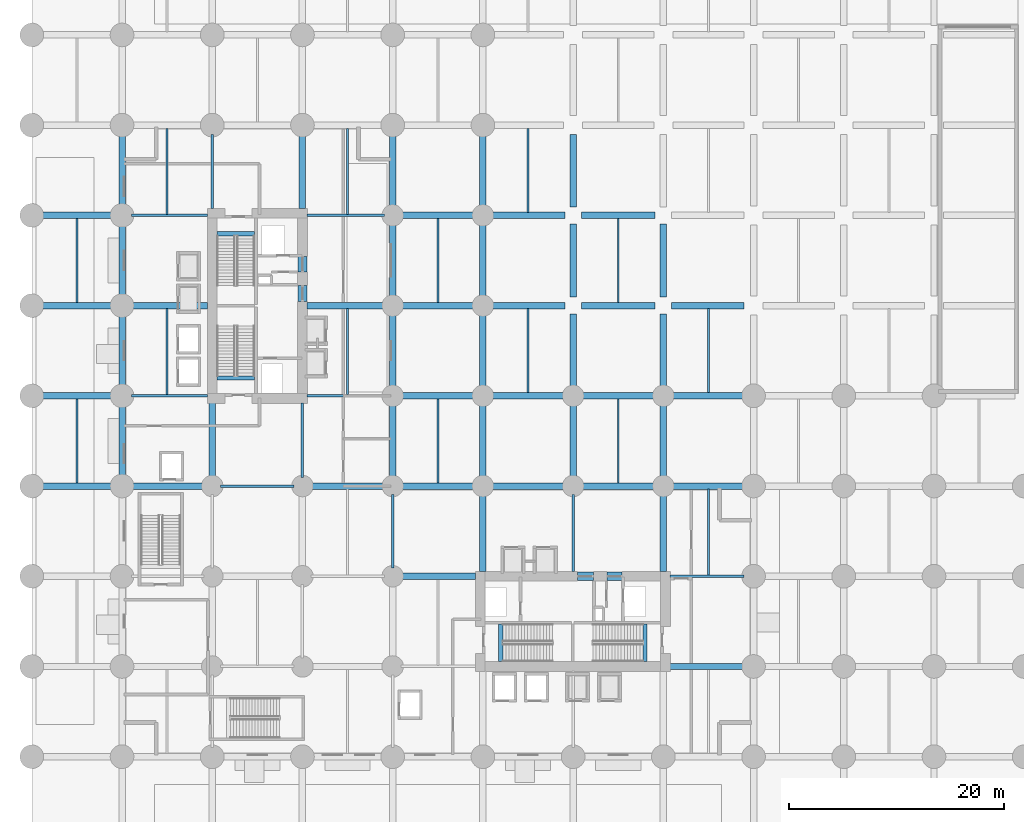
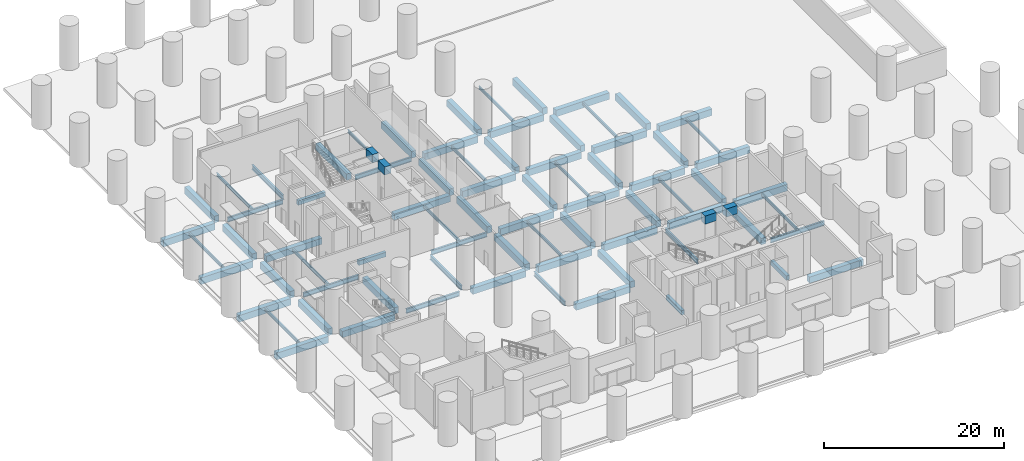
# One storey, part 2 of 13: 80 beams.
"""IFC4 building model written with IfcOpenShell, lengths in metres."""

from ifc_helpers import new_model, si_unit, direction, frame, origin, origin_2d, place, context, subcontext, project, spatial, rectangle, i_section, extrude, material, material_profile, profile_set, type_object, element, save


model = new_model("IFC4")

# Units and contexts
model_context = context("Model", 3, precision=1e-05, world=origin(), true_north=direction((0.0, 1.0)))
body_context = subcontext(model_context, "Body", "Model", "MODEL_VIEW")
ifc_project = project(units=[si_unit("LENGTHUNIT", "METRE"), si_unit("AREAUNIT", "SQUARE_METRE"), si_unit("VOLUMEUNIT", "CUBIC_METRE"), si_unit("PLANEANGLEUNIT", "RADIAN"), si_unit("MASSUNIT", "GRAM", prefix="KILO")], contexts=[model_context])

# Site, building, storey
site_placement = place(None, origin())
site = spatial("IfcSite", under=ifc_project, at=site_placement, CompositionType="ELEMENT")
building_placement = place(site_placement, origin())
building = spatial("IfcBuilding", under=site, at=building_placement, Name="Koriwani Terraces Tower", CompositionType="ELEMENT")
storey_placement = place(building_placement, origin())
storey = spatial("IfcBuildingStorey", under=building, at=storey_placement, Name="L00", CompositionType="ELEMENT", Elevation=0.0)

# Beams
ifc_material_1 = material(Name="Concrete C60/75", Category="concrete")
ifc_material_profile_1 = material_profile(ifc_material_1, rectangle(XDim=0.800048828125, YDim=1.10009765625, at=origin_2d()), Name="Concrete C60/75", Category="LoadBearing")
ifc_profile_set_1 = profile_set([ifc_material_profile_1], Name="Concrete C60/75")
beam_type_1 = type_object("IfcBeamType", Name="BEAM_RC_COUPLING_800X1100", PredefinedType="LINTEL", material=ifc_profile_set_1)
beam_1_placement = place(storey_placement, frame((25.199951171875, 50.800048828125, 5.10009765625), z_axis=(0.0, 1.0, 0.0), x_axis=(-1.0, 0.0, 0.0)))
element("IfcBeam", 1, at=beam_1_placement, inside=storey, type_object=beam_type_1, Name="L00 Core Coupling Lintel Beam WE1", PredefinedType="LINTEL", context=body_context, shape_type="SweptSolid", body=[
    extrude(rectangle(XDim=0.800048828125, YDim=1.10009765625, at=origin_2d()), origin(), (0.0, 0.0, 1.0), 1.47998046875),
])
beam_2_placement = place(storey_placement, frame((25.199951171875, 53.550048828125, 5.10009765625), z_axis=(0.0, 1.0, 0.0), x_axis=(-1.0, 0.0, 0.0)))
element("IfcBeam", 2, at=beam_2_placement, inside=storey, type_object=beam_type_1, Name="L00 Core Coupling Lintel Beam WE2", PredefinedType="LINTEL", context=body_context, shape_type="SweptSolid", body=[
    extrude(rectangle(XDim=0.800048828125, YDim=1.10009765625, at=origin_2d()), origin(), (0.0, 0.0, 1.0), 1.39990234375),
])
beam_3_placement = place(storey_placement, frame((50.800048828125, 25.199951171875, 5.10009765625), z_axis=(1.0, 0.0, 0.0), x_axis=(0.0, 1.0, 0.0)))
element("IfcBeam", 3, at=beam_3_placement, inside=storey, type_object=beam_type_1, Name="L00 Core Coupling Lintel Beam EN1", PredefinedType="LINTEL", context=body_context, shape_type="SweptSolid", body=[
    extrude(rectangle(XDim=0.800048828125, YDim=1.10009765625, at=origin_2d()), origin(), (0.0, 0.0, 1.0), 1.47998046875),
])
beam_4_placement = place(storey_placement, frame((53.550048828125, 25.199951171875, 5.10009765625), z_axis=(1.0, 0.0, 0.0), x_axis=(0.0, 1.0, 0.0)))
element("IfcBeam", 4, at=beam_4_placement, inside=storey, type_object=beam_type_1, Name="L00 Core Coupling Lintel Beam EN2", PredefinedType="LINTEL", context=body_context, shape_type="SweptSolid", body=[
    extrude(rectangle(XDim=0.800048828125, YDim=1.10009765625, at=origin_2d()), origin(), (0.0, 0.0, 1.0), 1.39990234375),
])
ifc_material_2 = material(Name="Concrete C40/50", Category="concrete")
ifc_material_profile_2 = material_profile(ifc_material_2, rectangle(XDim=0.39990234375, YDim=0.60009765625, at=origin_2d()), Name="Concrete C40/50", Category="LoadBearing")
ifc_profile_set_2 = profile_set([ifc_material_profile_2], Name="Concrete C40/50")
beam_type_2 = type_object("IfcBeamType", Name="BEAM_RC_GRID_400X600", PredefinedType="BEAM", material=ifc_profile_set_2)
for number, where, z_axis, x_axis, name in (
    (5, (17.25, 43.655029296875, -0.300048828125), (1.0, 0.0, 0.0), (0.0, 1.0, 0.0), "L00 Stairwell Header Trimmer Beam ST-W1"),
    (6, (17.25, 57.094970703125, -0.300048828125), (1.0, 0.0, 0.0), (0.0, 1.0, 0.0), "L00 Stairwell Header Trimmer Beam ST-W2"),
    (7, (43.655029296875, 17.25, -0.300048828125), (0.0, 1.0, 0.0), (-1.0, 0.0, 0.0), "L00 Stairwell Header Trimmer Beam ST-E1"),
    (8, (57.094970703125, 17.25, -0.300048828125), (0.0, 1.0, 0.0), (-1.0, 0.0, 0.0), "L00 Stairwell Header Trimmer Beam ST-E2"),
):
    element("IfcBeam", number, at=place(storey_placement, frame(where, z_axis=z_axis, x_axis=x_axis)), inside=storey, type_object=beam_type_2, Name=name, PredefinedType="BEAM", context=body_context, shape_type="SweptSolid", body=[
        extrude(rectangle(XDim=0.39990234375, YDim=0.60009765625, at=origin_2d()), origin(), (0.0, 0.0, 1.0), 3.5),
    ])
ifc_material_profile_3 = material_profile(ifc_material_1, rectangle(XDim=0.60009765625, YDim=0.85009765625, at=origin_2d()), Name="Concrete C60/75", Category="LoadBearing")
ifc_profile_set_3 = profile_set([ifc_material_profile_3], Name="Concrete C60/75")
beam_type_3 = type_object("IfcBeamType", Name="BEAM_RC_GRID_600X850", PredefinedType="BEAM", material=ifc_profile_set_3)
beam_5_placement = place(storey_placement, frame((59.429931640625, 16.800048828125, -1.0048828125), z_axis=(1.0, 0.0, 0.0), x_axis=(0.0, 1.0, 0.0)))
element("IfcBeam", 9, at=beam_5_placement, inside=storey, type_object=beam_type_3, Name="L00 Grid Beam C (58.8-67.2m)", PredefinedType="BEAM", context=body_context, shape_type="SweptSolid", body=[
    extrude(rectangle(XDim=0.60009765625, YDim=0.85009765625, at=origin_2d()), origin(), (0.0, 0.0, 1.0), 6.89013671875),
])
beam_6_placement = place(storey_placement, frame((34.3798828125, 25.199951171875, -1.0048828125), z_axis=(1.0, 0.0, 0.0), x_axis=(0.0, 1.0, 0.0)))
element("IfcBeam", 10, at=beam_6_placement, inside=storey, type_object=beam_type_3, Name="L00 Grid Beam D (33.6-42.0m)", PredefinedType="BEAM", context=body_context, shape_type="SweptSolid", body=[
    extrude(rectangle(XDim=0.60009765625, YDim=0.85009765625, at=origin_2d()), origin(), (0.0, 0.0, 1.0), 6.940185546875),
])
beam_7_placement = place(storey_placement, frame((9.280029296875, 33.60009765625, -1.0048828125), z_axis=(1.0, 0.0, 0.0), x_axis=(0.0, 1.0, 0.0)))
element("IfcBeam", 11, at=beam_7_placement, inside=storey, type_object=beam_type_3, Name="L00 Grid Beam E (8.4-16.8m)", PredefinedType="BEAM", context=body_context, shape_type="SweptSolid", body=[
    extrude(rectangle(XDim=0.60009765625, YDim=0.85009765625, at=origin_2d()), origin(), (0.0, 0.0, 1.0), 6.739990234375),
])
beam_8_placement = place(storey_placement, frame((25.97998046875, 33.60009765625, -1.0048828125), z_axis=(1.0, 0.0, 0.0), x_axis=(0.0, 1.0, 0.0)))
element("IfcBeam", 12, at=beam_8_placement, inside=storey, type_object=beam_type_3, Name="L00 Grid Beam E (25.2-33.6m)", PredefinedType="BEAM", context=body_context, shape_type="SweptSolid", body=[
    extrude(rectangle(XDim=0.60009765625, YDim=0.85009765625, at=origin_2d()), origin(), (0.0, 0.0, 1.0), 6.840087890625),
])
beam_9_placement = place(storey_placement, frame((9.280029296875, 50.39990234375, -1.0048828125), z_axis=(1.0, 0.0, 0.0), x_axis=(0.0, 1.0, 0.0)))
element("IfcBeam", 13, at=beam_9_placement, inside=storey, type_object=beam_type_3, Name="L00 Grid Beam G (8.4-16.8m)", PredefinedType="BEAM", context=body_context, shape_type="SweptSolid", body=[
    extrude(rectangle(XDim=0.60009765625, YDim=0.85009765625, at=origin_2d()), origin(), (0.0, 0.0, 1.0), 7.090087890625),
])
beam_10_placement = place(storey_placement, frame((25.6298828125, 50.39990234375, -1.0048828125), z_axis=(1.0, 0.0, 0.0), x_axis=(0.0, 1.0, 0.0)))
element("IfcBeam", 14, at=beam_10_placement, inside=storey, type_object=beam_type_3, Name="L00 Grid Beam G (25.2-33.6m)", PredefinedType="BEAM", context=body_context, shape_type="SweptSolid", body=[
    extrude(rectangle(XDim=0.60009765625, YDim=0.85009765625, at=origin_2d()), origin(), (0.0, 0.0, 1.0), 7.190185546875),
])
beam_11_placement = place(storey_placement, frame((16.800048828125, 34.3798828125, -1.0048828125), z_axis=(0.0, 1.0, 0.0), x_axis=(-1.0, 0.0, 0.0)))
element("IfcBeam", 15, at=beam_11_placement, inside=storey, type_object=beam_type_3, Name="L00 Grid Beam 3 (33.6-42.0m)", PredefinedType="BEAM", context=body_context, shape_type="SweptSolid", body=[
    extrude(rectangle(XDim=0.60009765625, YDim=0.85009765625, at=origin_2d()), origin(), (0.0, 0.0, 1.0), 6.940185546875),
])
beam_12_placement = place(storey_placement, frame((25.199951171875, 59.429931640625, -1.0048828125), z_axis=(0.0, 1.0, 0.0), x_axis=(-1.0, 0.0, 0.0)))
element("IfcBeam", 16, at=beam_12_placement, inside=storey, type_object=beam_type_3, Name="L00 Grid Beam 4 (58.8-67.2m)", PredefinedType="BEAM", context=body_context, shape_type="SweptSolid", body=[
    extrude(rectangle(XDim=0.60009765625, YDim=0.85009765625, at=origin_2d()), origin(), (0.0, 0.0, 1.0), 6.89013671875),
])
for number, where, z_axis, x_axis, name in (
    (17, (42.0, 25.6298828125, -1.0048828125), (0.0, 1.0, 0.0), (-1.0, 0.0, 0.0), "L00 Grid Beam 6 (25.2-33.6m)"),
    (18, (58.800048828125, 25.6298828125, -1.0048828125), (0.0, 1.0, 0.0), (-1.0, 0.0, 0.0), "L00 Grid Beam 8 (25.2-33.6m)"),
):
    element("IfcBeam", number, at=place(storey_placement, frame(where, z_axis=z_axis, x_axis=x_axis)), inside=storey, type_object=beam_type_3, Name=name, PredefinedType="BEAM", context=body_context, shape_type="SweptSolid", body=[
        extrude(rectangle(XDim=0.60009765625, YDim=0.85009765625, at=origin_2d()), origin(), (0.0, 0.0, 1.0), 7.190185546875),
    ])
ifc_material_profile_4 = material_profile(ifc_material_1, rectangle(XDim=0.60009765625, YDim=0.89990234375, at=origin_2d()), Name="Concrete C60/75", Category="LoadBearing")
ifc_profile_set_4 = profile_set([ifc_material_profile_4], Name="Concrete C60/75")
beam_type_4 = type_object("IfcBeamType", Name="BEAM_RC_SPANDREL_600X900", PredefinedType="SPANDREL", material=ifc_profile_set_4)
beam_13_placement = place(storey_placement, frame((0.8798828125, 33.60009765625, -1.030029296875), z_axis=(1.0, 0.0, 0.0), x_axis=(0.0, 1.0, 0.0)))
element("IfcBeam", 19, at=beam_13_placement, inside=storey, type_object=beam_type_4, Name="L00 Spandrel Beam E (0.0-8.4m)", PredefinedType="SPANDREL", context=body_context, shape_type="SweptSolid", body=[
    extrude(rectangle(XDim=0.60009765625, YDim=0.89990234375, at=origin_2d()), origin(), (0.0, 0.0, 1.0), 6.64013671875),
])
for number, where, z_axis, x_axis, name in (
    (20, (34.3798828125, 33.60009765625, -1.030029296875), (1.0, 0.0, 0.0), (0.0, 1.0, 0.0), "L00 Spandrel Beam E (33.6-42.0m)"),
    (21, (42.780029296875, 33.60009765625, -1.030029296875), (1.0, 0.0, 0.0), (0.0, 1.0, 0.0), "L00 Spandrel Beam E (42.0-50.4m)"),
    (22, (51.179931640625, 33.60009765625, -1.030029296875), (1.0, 0.0, 0.0), (0.0, 1.0, 0.0), "L00 Spandrel Beam E (50.4-58.8m)"),
):
    element("IfcBeam", number, at=place(storey_placement, frame(where, z_axis=z_axis, x_axis=x_axis)), inside=storey, type_object=beam_type_4, Name=name, PredefinedType="SPANDREL", context=body_context, shape_type="SweptSolid", body=[
        extrude(rectangle(XDim=0.60009765625, YDim=0.89990234375, at=origin_2d()), origin(), (0.0, 0.0, 1.0), 6.840087890625),
    ])
beam_14_placement = place(storey_placement, frame((59.580078125, 33.60009765625, -1.030029296875), z_axis=(1.0, 0.0, 0.0), x_axis=(0.0, 1.0, 0.0)))
element("IfcBeam", 23, at=beam_14_placement, inside=storey, type_object=beam_type_4, Name="L00 Spandrel Beam E (58.8-67.2m)", PredefinedType="SPANDREL", context=body_context, shape_type="SweptSolid", body=[
    extrude(rectangle(XDim=0.60009765625, YDim=0.89990234375, at=origin_2d()), origin(), (0.0, 0.0, 1.0), 6.739990234375),
])
beam_15_placement = place(storey_placement, frame((0.8798828125, 42.0, -1.030029296875), z_axis=(1.0, 0.0, 0.0), x_axis=(0.0, 1.0, 0.0)))
element("IfcBeam", 24, at=beam_15_placement, inside=storey, type_object=beam_type_4, Name="L00 Spandrel Beam F (0.0-8.4m)", PredefinedType="SPANDREL", context=body_context, shape_type="SweptSolid", body=[
    extrude(rectangle(XDim=0.60009765625, YDim=0.89990234375, at=origin_2d()), origin(), (0.0, 0.0, 1.0), 6.64013671875),
])
for number, where, z_axis, x_axis, name in (
    (25, (34.3798828125, 42.0, -1.030029296875), (1.0, 0.0, 0.0), (0.0, 1.0, 0.0), "L00 Spandrel Beam F (33.6-42.0m)"),
    (26, (42.780029296875, 42.0, -1.030029296875), (1.0, 0.0, 0.0), (0.0, 1.0, 0.0), "L00 Spandrel Beam F (42.0-50.4m)"),
    (27, (51.179931640625, 42.0, -1.030029296875), (1.0, 0.0, 0.0), (0.0, 1.0, 0.0), "L00 Spandrel Beam F (50.4-58.8m)"),
):
    element("IfcBeam", number, at=place(storey_placement, frame(where, z_axis=z_axis, x_axis=x_axis)), inside=storey, type_object=beam_type_4, Name=name, PredefinedType="SPANDREL", context=body_context, shape_type="SweptSolid", body=[
        extrude(rectangle(XDim=0.60009765625, YDim=0.89990234375, at=origin_2d()), origin(), (0.0, 0.0, 1.0), 6.840087890625),
    ])
beam_16_placement = place(storey_placement, frame((59.580078125, 42.0, -1.030029296875), z_axis=(1.0, 0.0, 0.0), x_axis=(0.0, 1.0, 0.0)))
element("IfcBeam", 28, at=beam_16_placement, inside=storey, type_object=beam_type_4, Name="L00 Spandrel Beam F (58.8-67.2m)", PredefinedType="SPANDREL", context=body_context, shape_type="SweptSolid", body=[
    extrude(rectangle(XDim=0.60009765625, YDim=0.89990234375, at=origin_2d()), origin(), (0.0, 0.0, 1.0), 6.739990234375),
])
beam_17_placement = place(storey_placement, frame((0.8798828125, 50.39990234375, -1.030029296875), z_axis=(1.0, 0.0, 0.0), x_axis=(0.0, 1.0, 0.0)))
element("IfcBeam", 29, at=beam_17_placement, inside=storey, type_object=beam_type_4, Name="L00 Spandrel Beam G (0.0-8.4m)", PredefinedType="SPANDREL", context=body_context, shape_type="SweptSolid", body=[
    extrude(rectangle(XDim=0.60009765625, YDim=0.89990234375, at=origin_2d()), origin(), (0.0, 0.0, 1.0), 6.64013671875),
])
for number, where, z_axis, x_axis, name in (
    (30, (34.3798828125, 50.39990234375, -1.030029296875), (1.0, 0.0, 0.0), (0.0, 1.0, 0.0), "L00 Spandrel Beam G (33.6-42.0m)"),
    (31, (42.780029296875, 50.39990234375, -1.030029296875), (1.0, 0.0, 0.0), (0.0, 1.0, 0.0), "L00 Spandrel Beam G (42.0-50.4m)"),
    (32, (51.179931640625, 50.39990234375, -1.030029296875), (1.0, 0.0, 0.0), (0.0, 1.0, 0.0), "L00 Spandrel Beam G (50.4-58.8m)"),
):
    element("IfcBeam", number, at=place(storey_placement, frame(where, z_axis=z_axis, x_axis=x_axis)), inside=storey, type_object=beam_type_4, Name=name, PredefinedType="SPANDREL", context=body_context, shape_type="SweptSolid", body=[
        extrude(rectangle(XDim=0.60009765625, YDim=0.89990234375, at=origin_2d()), origin(), (0.0, 0.0, 1.0), 6.840087890625),
    ])
beam_18_placement = place(storey_placement, frame((59.580078125, 50.39990234375, -1.030029296875), z_axis=(1.0, 0.0, 0.0), x_axis=(0.0, 1.0, 0.0)))
element("IfcBeam", 33, at=beam_18_placement, inside=storey, type_object=beam_type_4, Name="L00 Spandrel Beam G (58.8-67.2m)", PredefinedType="SPANDREL", context=body_context, shape_type="SweptSolid", body=[
    extrude(rectangle(XDim=0.60009765625, YDim=0.89990234375, at=origin_2d()), origin(), (0.0, 0.0, 1.0), 6.739990234375),
])
beam_19_placement = place(storey_placement, frame((0.8798828125, 58.800048828125, -1.030029296875), z_axis=(1.0, 0.0, 0.0), x_axis=(0.0, 1.0, 0.0)))
element("IfcBeam", 34, at=beam_19_placement, inside=storey, type_object=beam_type_4, Name="L00 Spandrel Beam H (0.0-8.4m)", PredefinedType="SPANDREL", context=body_context, shape_type="SweptSolid", body=[
    extrude(rectangle(XDim=0.60009765625, YDim=0.89990234375, at=origin_2d()), origin(), (0.0, 0.0, 1.0), 6.64013671875),
])
for number, where, z_axis, x_axis, name in (
    (35, (34.3798828125, 58.800048828125, -1.030029296875), (1.0, 0.0, 0.0), (0.0, 1.0, 0.0), "L00 Spandrel Beam H (33.6-42.0m)"),
    (36, (42.780029296875, 58.800048828125, -1.030029296875), (1.0, 0.0, 0.0), (0.0, 1.0, 0.0), "L00 Spandrel Beam H (42.0-50.4m)"),
    (37, (51.179931640625, 58.800048828125, -1.030029296875), (1.0, 0.0, 0.0), (0.0, 1.0, 0.0), "L00 Spandrel Beam H (50.4-58.8m)"),
):
    element("IfcBeam", number, at=place(storey_placement, frame(where, z_axis=z_axis, x_axis=x_axis)), inside=storey, type_object=beam_type_4, Name=name, PredefinedType="SPANDREL", context=body_context, shape_type="SweptSolid", body=[
        extrude(rectangle(XDim=0.60009765625, YDim=0.89990234375, at=origin_2d()), origin(), (0.0, 0.0, 1.0), 6.840087890625),
    ])
for number, where, z_axis, x_axis, name in (
    (38, (8.39990234375, 34.47998046875, -1.030029296875), (0.0, 1.0, 0.0), (-1.0, 0.0, 0.0), "L00 Spandrel Beam 2 (33.6-42.0m)"),
    (39, (8.39990234375, 42.8798828125, -1.030029296875), (0.0, 1.0, 0.0), (-1.0, 0.0, 0.0), "L00 Spandrel Beam 2 (42.0-50.4m)"),
):
    element("IfcBeam", number, at=place(storey_placement, frame(where, z_axis=z_axis, x_axis=x_axis)), inside=storey, type_object=beam_type_4, Name=name, PredefinedType="SPANDREL", context=body_context, shape_type="SweptSolid", body=[
        extrude(rectangle(XDim=0.60009765625, YDim=0.89990234375, at=origin_2d()), origin(), (0.0, 0.0, 1.0), 6.64013671875),
    ])
beam_20_placement = place(storey_placement, frame((8.39990234375, 51.280029296875, -1.030029296875), z_axis=(0.0, 1.0, 0.0), x_axis=(-1.0, 0.0, 0.0)))
element("IfcBeam", 40, at=beam_20_placement, inside=storey, type_object=beam_type_4, Name="L00 Spandrel Beam 2 (50.4-58.8m)", PredefinedType="SPANDREL", context=body_context, shape_type="SweptSolid", body=[
    extrude(rectangle(XDim=0.60009765625, YDim=0.89990234375, at=origin_2d()), origin(), (0.0, 0.0, 1.0), 6.639892578125),
])
beam_21_placement = place(storey_placement, frame((8.39990234375, 59.679931640625, -1.030029296875), z_axis=(0.0, 1.0, 0.0), x_axis=(-1.0, 0.0, 0.0)))
element("IfcBeam", 41, at=beam_21_placement, inside=storey, type_object=beam_type_4, Name="L00 Spandrel Beam 2 (58.8-67.2m)", PredefinedType="SPANDREL", context=body_context, shape_type="SweptSolid", body=[
    extrude(rectangle(XDim=0.60009765625, YDim=0.89990234375, at=origin_2d()), origin(), (0.0, 0.0, 1.0), 6.64013671875),
])
for number, where, z_axis, x_axis, name in (
    (42, (33.60009765625, 34.3798828125, -1.030029296875), (0.0, 1.0, 0.0), (-1.0, 0.0, 0.0), "L00 Spandrel Beam 5 (33.6-42.0m)"),
    (43, (33.60009765625, 42.780029296875, -1.030029296875), (0.0, 1.0, 0.0), (-1.0, 0.0, 0.0), "L00 Spandrel Beam 5 (42.0-50.4m)"),
    (44, (33.60009765625, 51.179931640625, -1.030029296875), (0.0, 1.0, 0.0), (-1.0, 0.0, 0.0), "L00 Spandrel Beam 5 (50.4-58.8m)"),
):
    element("IfcBeam", number, at=place(storey_placement, frame(where, z_axis=z_axis, x_axis=x_axis)), inside=storey, type_object=beam_type_4, Name=name, PredefinedType="SPANDREL", context=body_context, shape_type="SweptSolid", body=[
        extrude(rectangle(XDim=0.60009765625, YDim=0.89990234375, at=origin_2d()), origin(), (0.0, 0.0, 1.0), 6.840087890625),
    ])
beam_22_placement = place(storey_placement, frame((33.60009765625, 59.580078125, -1.030029296875), z_axis=(0.0, 1.0, 0.0), x_axis=(-1.0, 0.0, 0.0)))
element("IfcBeam", 45, at=beam_22_placement, inside=storey, type_object=beam_type_4, Name="L00 Spandrel Beam 5 (58.8-67.2m)", PredefinedType="SPANDREL", context=body_context, shape_type="SweptSolid", body=[
    extrude(rectangle(XDim=0.60009765625, YDim=0.89990234375, at=origin_2d()), origin(), (0.0, 0.0, 1.0), 6.739990234375),
])
for number, where, z_axis, x_axis, name in (
    (46, (42.0, 34.3798828125, -1.030029296875), (0.0, 1.0, 0.0), (-1.0, 0.0, 0.0), "L00 Spandrel Beam 6 (33.6-42.0m)"),
    (47, (42.0, 42.780029296875, -1.030029296875), (0.0, 1.0, 0.0), (-1.0, 0.0, 0.0), "L00 Spandrel Beam 6 (42.0-50.4m)"),
    (48, (42.0, 51.179931640625, -1.030029296875), (0.0, 1.0, 0.0), (-1.0, 0.0, 0.0), "L00 Spandrel Beam 6 (50.4-58.8m)"),
):
    element("IfcBeam", number, at=place(storey_placement, frame(where, z_axis=z_axis, x_axis=x_axis)), inside=storey, type_object=beam_type_4, Name=name, PredefinedType="SPANDREL", context=body_context, shape_type="SweptSolid", body=[
        extrude(rectangle(XDim=0.60009765625, YDim=0.89990234375, at=origin_2d()), origin(), (0.0, 0.0, 1.0), 6.840087890625),
    ])
beam_23_placement = place(storey_placement, frame((42.0, 59.580078125, -1.030029296875), z_axis=(0.0, 1.0, 0.0), x_axis=(-1.0, 0.0, 0.0)))
element("IfcBeam", 49, at=beam_23_placement, inside=storey, type_object=beam_type_4, Name="L00 Spandrel Beam 6 (58.8-67.2m)", PredefinedType="SPANDREL", context=body_context, shape_type="SweptSolid", body=[
    extrude(rectangle(XDim=0.60009765625, YDim=0.89990234375, at=origin_2d()), origin(), (0.0, 0.0, 1.0), 6.739990234375),
])
for number, where, z_axis, x_axis, name in (
    (50, (50.39990234375, 34.3798828125, -1.030029296875), (0.0, 1.0, 0.0), (-1.0, 0.0, 0.0), "L00 Spandrel Beam 7 (33.6-42.0m)"),
    (51, (50.39990234375, 42.780029296875, -1.030029296875), (0.0, 1.0, 0.0), (-1.0, 0.0, 0.0), "L00 Spandrel Beam 7 (42.0-50.4m)"),
    (52, (50.39990234375, 51.179931640625, -1.030029296875), (0.0, 1.0, 0.0), (-1.0, 0.0, 0.0), "L00 Spandrel Beam 7 (50.4-58.8m)"),
):
    element("IfcBeam", number, at=place(storey_placement, frame(where, z_axis=z_axis, x_axis=x_axis)), inside=storey, type_object=beam_type_4, Name=name, PredefinedType="SPANDREL", context=body_context, shape_type="SweptSolid", body=[
        extrude(rectangle(XDim=0.60009765625, YDim=0.89990234375, at=origin_2d()), origin(), (0.0, 0.0, 1.0), 6.840087890625),
    ])
beam_24_placement = place(storey_placement, frame((50.39990234375, 59.580078125, -1.030029296875), z_axis=(0.0, 1.0, 0.0), x_axis=(-1.0, 0.0, 0.0)))
element("IfcBeam", 53, at=beam_24_placement, inside=storey, type_object=beam_type_4, Name="L00 Spandrel Beam 7 (58.8-67.2m)", PredefinedType="SPANDREL", context=body_context, shape_type="SweptSolid", body=[
    extrude(rectangle(XDim=0.60009765625, YDim=0.89990234375, at=origin_2d()), origin(), (0.0, 0.0, 1.0), 6.739990234375),
])
for number, where, z_axis, x_axis, name in (
    (54, (58.800048828125, 34.3798828125, -1.030029296875), (0.0, 1.0, 0.0), (-1.0, 0.0, 0.0), "L00 Spandrel Beam 8 (33.6-42.0m)"),
    (55, (58.800048828125, 42.780029296875, -1.030029296875), (0.0, 1.0, 0.0), (-1.0, 0.0, 0.0), "L00 Spandrel Beam 8 (42.0-50.4m)"),
    (56, (58.800048828125, 51.179931640625, -1.030029296875), (0.0, 1.0, 0.0), (-1.0, 0.0, 0.0), "L00 Spandrel Beam 8 (50.4-58.8m)"),
):
    element("IfcBeam", number, at=place(storey_placement, frame(where, z_axis=z_axis, x_axis=x_axis)), inside=storey, type_object=beam_type_4, Name=name, PredefinedType="SPANDREL", context=body_context, shape_type="SweptSolid", body=[
        extrude(rectangle(XDim=0.60009765625, YDim=0.89990234375, at=origin_2d()), origin(), (0.0, 0.0, 1.0), 6.840087890625),
    ])
ifc_material_3 = material(Name="Steel ASTM A572 Grade 50", Category="steel")
ifc_material_profile_5 = material_profile(ifc_material_3, i_section(OverallWidth=0.180908203125, OverallDepth=0.4169921875, WebThickness=0.010986328125, FlangeThickness=0.018310546875, at=origin_2d()), Name="Steel ASTM A572 Grade 50", Category="LoadBearing")
ifc_profile_set_5 = profile_set([ifc_material_profile_5], Name="Steel ASTM A572 Grade 50")
beam_type_5 = type_object("IfcBeamType", Name="STEEL_BEAM_W410X85", PredefinedType="JOIST", material=ifc_profile_set_5)
for number, where, z_axis, x_axis, name in (
    (57, (4.199951171875, 33.889892578125, -0.78857421875), (0.0, 1.0, 0.0), (-1.0, 0.0, 0.0), "L00 Secondary Steel Floor Joist X=4.2m"),
    (58, (4.199951171875, 50.68994140625, -0.78857421875), (0.0, 1.0, 0.0), (-1.0, 0.0, 0.0), "L00 Secondary Steel Floor Joist X=4.2m"),
):
    element("IfcBeam", number, at=place(storey_placement, frame(where, z_axis=z_axis, x_axis=x_axis)), inside=storey, type_object=beam_type_5, Name=name, PredefinedType="JOIST", context=body_context, shape_type="SweptSolid", body=[
        extrude(i_section(OverallWidth=0.180908203125, OverallDepth=0.4169921875, WebThickness=0.010986328125, FlangeThickness=0.018310546875, at=origin_2d()), origin(), (0.0, 0.0, 1.0), 7.820068359375),
    ])
beam_25_placement = place(storey_placement, frame((12.60009765625, 42.10546875, -0.78857421875), z_axis=(0.0, 1.0, 0.0), x_axis=(-1.0, 0.0, 0.0)))
element("IfcBeam", 59, at=beam_25_placement, inside=storey, type_object=beam_type_5, Name="L00 Secondary Steel Floor Joist X=12.6m", PredefinedType="JOIST", context=body_context, shape_type="SweptSolid", body=[
    extrude(i_section(OverallWidth=0.180908203125, OverallDepth=0.4169921875, WebThickness=0.010986328125, FlangeThickness=0.018310546875, at=origin_2d()), origin(), (0.0, 0.0, 1.0), 8.004638671875),
])
beam_26_placement = place(storey_placement, frame((12.60009765625, 58.905517578125, -0.78857421875), z_axis=(0.0, 1.0, 0.0), x_axis=(-1.0, 0.0, 0.0)))
element("IfcBeam", 60, at=beam_26_placement, inside=storey, type_object=beam_type_5, Name="L00 Secondary Steel Floor Joist X=12.6m", PredefinedType="JOIST", context=body_context, shape_type="SweptSolid", body=[
    extrude(i_section(OverallWidth=0.180908203125, OverallDepth=0.4169921875, WebThickness=0.010986328125, FlangeThickness=0.018310546875, at=origin_2d()), origin(), (0.0, 0.0, 1.0), 8.00439453125),
])
beam_27_placement = place(storey_placement, frame((29.39990234375, 42.10546875, -0.78857421875), z_axis=(0.0, 1.0, 0.0), x_axis=(-1.0, 0.0, 0.0)))
element("IfcBeam", 61, at=beam_27_placement, inside=storey, type_object=beam_type_5, Name="L00 Secondary Steel Floor Joist X=29.4m", PredefinedType="JOIST", context=body_context, shape_type="SweptSolid", body=[
    extrude(i_section(OverallWidth=0.180908203125, OverallDepth=0.4169921875, WebThickness=0.010986328125, FlangeThickness=0.018310546875, at=origin_2d()), origin(), (0.0, 0.0, 1.0), 8.004638671875),
])
beam_28_placement = place(storey_placement, frame((29.39990234375, 58.905517578125, -0.78857421875), z_axis=(0.0, 1.0, 0.0), x_axis=(-1.0, 0.0, 0.0)))
element("IfcBeam", 62, at=beam_28_placement, inside=storey, type_object=beam_type_5, Name="L00 Secondary Steel Floor Joist X=29.4m", PredefinedType="JOIST", context=body_context, shape_type="SweptSolid", body=[
    extrude(i_section(OverallWidth=0.180908203125, OverallDepth=0.4169921875, WebThickness=0.010986328125, FlangeThickness=0.018310546875, at=origin_2d()), origin(), (0.0, 0.0, 1.0), 8.00439453125),
])
for number, where, z_axis, x_axis, name in (
    (63, (37.800048828125, 33.889892578125, -0.78857421875), (0.0, 1.0, 0.0), (-1.0, 0.0, 0.0), "L00 Secondary Steel Floor Joist X=37.8m"),
    (64, (37.800048828125, 50.68994140625, -0.78857421875), (0.0, 1.0, 0.0), (-1.0, 0.0, 0.0), "L00 Secondary Steel Floor Joist X=37.8m"),
    (65, (46.199951171875, 42.2900390625, -0.78857421875), (0.0, 1.0, 0.0), (-1.0, 0.0, 0.0), "L00 Secondary Steel Floor Joist X=46.2m"),
):
    element("IfcBeam", number, at=place(storey_placement, frame(where, z_axis=z_axis, x_axis=x_axis)), inside=storey, type_object=beam_type_5, Name=name, PredefinedType="JOIST", context=body_context, shape_type="SweptSolid", body=[
        extrude(i_section(OverallWidth=0.180908203125, OverallDepth=0.4169921875, WebThickness=0.010986328125, FlangeThickness=0.018310546875, at=origin_2d()), origin(), (0.0, 0.0, 1.0), 7.820068359375),
    ])
beam_29_placement = place(storey_placement, frame((46.199951171875, 59.090087890625, -0.78857421875), z_axis=(0.0, 1.0, 0.0), x_axis=(-1.0, 0.0, 0.0)))
element("IfcBeam", 66, at=beam_29_placement, inside=storey, type_object=beam_type_5, Name="L00 Secondary Steel Floor Joist X=46.2m", PredefinedType="JOIST", context=body_context, shape_type="SweptSolid", body=[
    extrude(i_section(OverallWidth=0.180908203125, OverallDepth=0.4169921875, WebThickness=0.010986328125, FlangeThickness=0.018310546875, at=origin_2d()), origin(), (0.0, 0.0, 1.0), 7.81982421875),
])
for number, where, z_axis, x_axis, name in (
    (67, (54.60009765625, 33.889892578125, -0.78857421875), (0.0, 1.0, 0.0), (-1.0, 0.0, 0.0), "L00 Secondary Steel Floor Joist X=54.6m"),
    (68, (54.60009765625, 50.68994140625, -0.78857421875), (0.0, 1.0, 0.0), (-1.0, 0.0, 0.0), "L00 Secondary Steel Floor Joist X=54.6m"),
):
    element("IfcBeam", number, at=place(storey_placement, frame(where, z_axis=z_axis, x_axis=x_axis)), inside=storey, type_object=beam_type_5, Name=name, PredefinedType="JOIST", context=body_context, shape_type="SweptSolid", body=[
        extrude(i_section(OverallWidth=0.180908203125, OverallDepth=0.4169921875, WebThickness=0.010986328125, FlangeThickness=0.018310546875, at=origin_2d()), origin(), (0.0, 0.0, 1.0), 7.820068359375),
    ])
beam_30_placement = place(storey_placement, frame((63.0, 25.305419921875, -0.78857421875), z_axis=(0.0, 1.0, 0.0), x_axis=(-1.0, 0.0, 0.0)))
element("IfcBeam", 69, at=beam_30_placement, inside=storey, type_object=beam_type_5, Name="L00 Secondary Steel Floor Joist X=63.0m", PredefinedType="JOIST", context=body_context, shape_type="SweptSolid", body=[
    extrude(i_section(OverallWidth=0.180908203125, OverallDepth=0.4169921875, WebThickness=0.010986328125, FlangeThickness=0.018310546875, at=origin_2d()), origin(), (0.0, 0.0, 1.0), 8.004638671875),
])
beam_31_placement = place(storey_placement, frame((63.0, 42.2900390625, -0.78857421875), z_axis=(0.0, 1.0, 0.0), x_axis=(-1.0, 0.0, 0.0)))
element("IfcBeam", 70, at=beam_31_placement, inside=storey, type_object=beam_type_5, Name="L00 Secondary Steel Floor Joist X=63.0m", PredefinedType="JOIST", context=body_context, shape_type="SweptSolid", body=[
    extrude(i_section(OverallWidth=0.180908203125, OverallDepth=0.4169921875, WebThickness=0.010986328125, FlangeThickness=0.018310546875, at=origin_2d()), origin(), (0.0, 0.0, 1.0), 7.820068359375),
])
ifc_material_profile_6 = material_profile(ifc_material_3, i_section(OverallWidth=0.23095703125, OverallDepth=0.616943359375, WebThickness=0.015380859375, FlangeThickness=0.0244140625, at=origin_2d()), Name="Steel ASTM A572 Grade 50", Category="LoadBearing")
ifc_profile_set_6 = profile_set([ifc_material_profile_6], Name="Steel ASTM A572 Grade 50")
beam_type_6 = type_object("IfcBeamType", Name="STEEL_BEAM_W610X195", PredefinedType="BEAM", material=ifc_profile_set_6)
beam_32_placement = place(storey_placement, frame((59.429931640625, 25.199951171875, -0.888427734375), z_axis=(1.0, 0.0, 0.0), x_axis=(0.0, 1.0, 0.0)))
element("IfcBeam", 71, at=beam_32_placement, inside=storey, type_object=beam_type_6, Name="L00 Grid Beam D (58.8-67.2m)", PredefinedType="BEAM", context=body_context, shape_type="SweptSolid", body=[
    extrude(i_section(OverallWidth=0.23095703125, OverallDepth=0.616943359375, WebThickness=0.015380859375, FlangeThickness=0.0244140625, at=origin_2d()), origin(), (0.0, 0.0, 1.0), 6.89013671875),
])
beam_33_placement = place(storey_placement, frame((17.580078125, 33.60009765625, -0.888427734375), z_axis=(1.0, 0.0, 0.0), x_axis=(0.0, 1.0, 0.0)))
element("IfcBeam", 72, at=beam_33_placement, inside=storey, type_object=beam_type_6, Name="L00 Grid Beam E (16.8-25.2m)", PredefinedType="BEAM", context=body_context, shape_type="SweptSolid", body=[
    extrude(i_section(OverallWidth=0.23095703125, OverallDepth=0.616943359375, WebThickness=0.015380859375, FlangeThickness=0.0244140625, at=origin_2d()), origin(), (0.0, 0.0, 1.0), 6.83984375),
])
beam_34_placement = place(storey_placement, frame((9.280029296875, 42.0, -0.888427734375), z_axis=(1.0, 0.0, 0.0), x_axis=(0.0, 1.0, 0.0)))
element("IfcBeam", 73, at=beam_34_placement, inside=storey, type_object=beam_type_6, Name="L00 Grid Beam F (8.4-16.8m)", PredefinedType="BEAM", context=body_context, shape_type="SweptSolid", body=[
    extrude(i_section(OverallWidth=0.23095703125, OverallDepth=0.616943359375, WebThickness=0.015380859375, FlangeThickness=0.0244140625, at=origin_2d()), origin(), (0.0, 0.0, 1.0), 7.090087890625),
])
beam_35_placement = place(storey_placement, frame((25.6298828125, 42.0, -0.888427734375), z_axis=(1.0, 0.0, 0.0), x_axis=(0.0, 1.0, 0.0)))
element("IfcBeam", 74, at=beam_35_placement, inside=storey, type_object=beam_type_6, Name="L00 Grid Beam F (25.2-33.6m)", PredefinedType="BEAM", context=body_context, shape_type="SweptSolid", body=[
    extrude(i_section(OverallWidth=0.23095703125, OverallDepth=0.616943359375, WebThickness=0.015380859375, FlangeThickness=0.0244140625, at=origin_2d()), origin(), (0.0, 0.0, 1.0), 7.190185546875),
])
beam_36_placement = place(storey_placement, frame((9.280029296875, 58.800048828125, -0.888427734375), z_axis=(1.0, 0.0, 0.0), x_axis=(0.0, 1.0, 0.0)))
element("IfcBeam", 75, at=beam_36_placement, inside=storey, type_object=beam_type_6, Name="L00 Grid Beam H (8.4-16.8m)", PredefinedType="BEAM", context=body_context, shape_type="SweptSolid", body=[
    extrude(i_section(OverallWidth=0.23095703125, OverallDepth=0.616943359375, WebThickness=0.015380859375, FlangeThickness=0.0244140625, at=origin_2d()), origin(), (0.0, 0.0, 1.0), 7.090087890625),
])
beam_37_placement = place(storey_placement, frame((25.6298828125, 58.800048828125, -0.888427734375), z_axis=(1.0, 0.0, 0.0), x_axis=(0.0, 1.0, 0.0)))
element("IfcBeam", 76, at=beam_37_placement, inside=storey, type_object=beam_type_6, Name="L00 Grid Beam H (25.2-33.6m)", PredefinedType="BEAM", context=body_context, shape_type="SweptSolid", body=[
    extrude(i_section(OverallWidth=0.23095703125, OverallDepth=0.616943359375, WebThickness=0.015380859375, FlangeThickness=0.0244140625, at=origin_2d()), origin(), (0.0, 0.0, 1.0), 7.190185546875),
])
beam_38_placement = place(storey_placement, frame((16.800048828125, 59.429931640625, -0.888427734375), z_axis=(0.0, 1.0, 0.0), x_axis=(-1.0, 0.0, 0.0)))
element("IfcBeam", 77, at=beam_38_placement, inside=storey, type_object=beam_type_6, Name="L00 Grid Beam 3 (58.8-67.2m)", PredefinedType="BEAM", context=body_context, shape_type="SweptSolid", body=[
    extrude(i_section(OverallWidth=0.23095703125, OverallDepth=0.616943359375, WebThickness=0.015380859375, FlangeThickness=0.0244140625, at=origin_2d()), origin(), (0.0, 0.0, 1.0), 6.89013671875),
])
beam_39_placement = place(storey_placement, frame((25.199951171875, 34.3798828125, -0.888427734375), z_axis=(0.0, 1.0, 0.0), x_axis=(-1.0, 0.0, 0.0)))
element("IfcBeam", 78, at=beam_39_placement, inside=storey, type_object=beam_type_6, Name="L00 Grid Beam 4 (33.6-42.0m)", PredefinedType="BEAM", context=body_context, shape_type="SweptSolid", body=[
    extrude(i_section(OverallWidth=0.23095703125, OverallDepth=0.616943359375, WebThickness=0.015380859375, FlangeThickness=0.0244140625, at=origin_2d()), origin(), (0.0, 0.0, 1.0), 6.940185546875),
])
beam_40_placement = place(storey_placement, frame((33.60009765625, 25.97998046875, -0.888427734375), z_axis=(0.0, 1.0, 0.0), x_axis=(-1.0, 0.0, 0.0)))
element("IfcBeam", 79, at=beam_40_placement, inside=storey, type_object=beam_type_6, Name="L00 Grid Beam 5 (25.2-33.6m)", PredefinedType="BEAM", context=body_context, shape_type="SweptSolid", body=[
    extrude(i_section(OverallWidth=0.23095703125, OverallDepth=0.616943359375, WebThickness=0.015380859375, FlangeThickness=0.0244140625, at=origin_2d()), origin(), (0.0, 0.0, 1.0), 6.840087890625),
])
beam_41_placement = place(storey_placement, frame((50.39990234375, 25.6298828125, -0.888427734375), z_axis=(0.0, 1.0, 0.0), x_axis=(-1.0, 0.0, 0.0)))
element("IfcBeam", 80, at=beam_41_placement, inside=storey, type_object=beam_type_6, Name="L00 Grid Beam 7 (25.2-33.6m)", PredefinedType="BEAM", context=body_context, shape_type="SweptSolid", body=[
    extrude(i_section(OverallWidth=0.23095703125, OverallDepth=0.616943359375, WebThickness=0.015380859375, FlangeThickness=0.0244140625, at=origin_2d()), origin(), (0.0, 0.0, 1.0), 7.190185546875),
])

save(model, "model.ifc")
